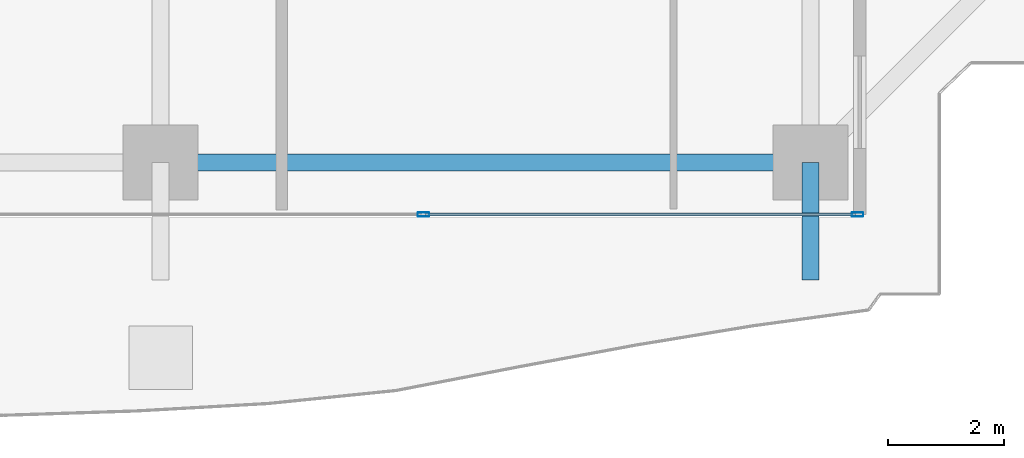
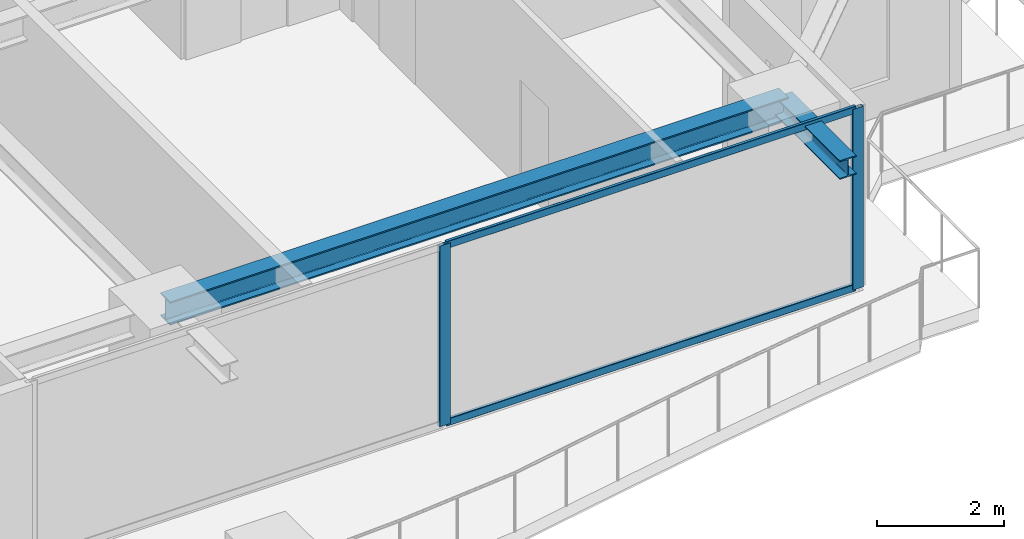
# One storey, part 11 of 36: 4 members, 2 beams, 1 element without a shape of its own.
"""IFC4 building model written with IfcOpenShell, lengths in metres."""

from ifc_helpers import new_model, si_unit, direction, frame, origin, origin_2d, place, context, subcontext, project, spatial, hollow_rectangle, i_section, extrude, source, transform, mapped, material, layer, layer_set, material_profile, profile_set, type_object, element, aggregate, save


model = new_model("IFC4")

# Units and contexts
model_context = context("Model", 3, precision=1e-05, world=origin(), true_north=direction((0.0, 1.0)))
body_context = subcontext(model_context, "Body", "Model", "MODEL_VIEW")
ifc_project = project(units=[si_unit("LENGTHUNIT", "METRE"), si_unit("AREAUNIT", "SQUARE_METRE"), si_unit("VOLUMEUNIT", "CUBIC_METRE"), si_unit("PLANEANGLEUNIT", "RADIAN"), si_unit("MASSUNIT", "GRAM", prefix="KILO")], contexts=[model_context])

# Site, building, storey
site_placement = place(None, origin())
site = spatial("IfcSite", under=ifc_project, at=site_placement, CompositionType="ELEMENT")
building_placement = place(site_placement, origin())
building = spatial("IfcBuilding", under=site, at=building_placement, Name="Serunith Strait Residences", CompositionType="ELEMENT")
storey_placement = place(building_placement, frame((0.0, 0.0, 131.39990234375)))
storey = spatial("IfcBuildingStorey", under=building, at=storey_placement, Name="L32", CompositionType="ELEMENT", Elevation=131.39990234375)

# Beams
ifc_material_1 = material(Name="Steel S355J2", Category="steel")
ifc_material_profile_1 = material_profile(ifc_material_1, i_section(OverallWidth=0.300048828125, OverallDepth=0.449951171875, WebThickness=0.013916015625, FlangeThickness=0.02587890625, FilletRadius=0.027099609375, at=origin_2d()), Name="HEB 450")
ifc_profile_set_1 = profile_set([ifc_material_profile_1], Name="Steel S355J2")
beam_type_1 = type_object("IfcBeamType", Name="BM-HEB450", PredefinedType="BEAM", material=ifc_profile_set_1)
shared_shape_1 = source(origin(), body_context, "Body", "SweptSolid", [
    extrude(i_section(OverallWidth=0.300048828125, OverallDepth=0.449951171875, WebThickness=0.013916015625, FlangeThickness=0.02587890625, FilletRadius=0.027099609375, at=origin_2d()), origin(), (0.0, 0.0, 1.0), 11.25),
])
beam_1_placement = place(storey_placement, frame((36.89990234375, 2.300048828125, 3.26220703125), z_axis=(1.0, 0.0, 0.0), x_axis=(0.0, 1.0, 0.0)))
element("IfcBeam", 1, at=beam_1_placement, inside=storey, type_object=beam_type_1, Name="L32 Perimeter Ring Beam 03", PredefinedType="BEAM", context=body_context, shape_type="MappedRepresentation", body=[
    mapped(shared_shape_1, transform((0.0, 0.0, 0.0), scale=1.0)),
])
ifc_material_profile_2 = material_profile(ifc_material_1, i_section(OverallWidth=0.300048828125, OverallDepth=0.360107421875, WebThickness=0.012451171875, FlangeThickness=0.0224609375, FilletRadius=0.027099609375, at=origin_2d()), Name="HEB 360")
ifc_profile_set_2 = profile_set([ifc_material_profile_2], Name="Steel S355J2")
beam_type_2 = type_object("IfcBeamType", Name="BM-HEB360", PredefinedType="BEAM", material=ifc_profile_set_2)
shared_shape_2 = source(origin(), body_context, "Body", "SweptSolid", [
    extrude(i_section(OverallWidth=0.300048828125, OverallDepth=0.360107421875, WebThickness=0.012451171875, FlangeThickness=0.0224609375, FilletRadius=0.027099609375, at=origin_2d()), origin(), (0.0, 0.0, 1.0), 2.030029296875),
])
beam_2_placement = place(storey_placement, frame((48.14990234375, 2.300048828125, 3.277099609375), z_axis=(0.0, -1.0, 0.0), x_axis=(1.0, 0.0, 0.0)))
element("IfcBeam", 2, at=beam_2_placement, inside=storey, type_object=beam_type_2, Name="L33 Cantilevered Balcony Rib TC-S4", PredefinedType="BEAM", context=body_context, shape_type="MappedRepresentation", body=[
    mapped(shared_shape_2, transform((0.0, 0.0, 0.0), scale=1.0)),
])

# Curtain wall, members
ifc_material_2 = material(Name="Pale-Champagne Anodised Aluminium", Category="aluminium")
ifc_layer = layer(ifc_material_2, 0.199951171875, Name="Pale-Champagne Anodised Aluminium")
ifc_layer_set = layer_set([ifc_layer], Name="Pale-Champagne Anodised Aluminium")
curtain_wall_type = type_object("IfcCurtainWallType", Name="CW-SYS2", PredefinedType="NOTDEFINED", material=ifc_layer_set)
curtain_wall_placement = place(storey_placement, origin())
curtain_wall = element("IfcCurtainWall", 3, at=curtain_wall_placement, inside=storey, type_object=curtain_wall_type, Name="L32 S Unitised Fritted Curtain Wall", PredefinedType="NOTDEFINED")
ifc_material_profile_3 = material_profile(ifc_material_2, hollow_rectangle(XDim=0.070068359375, YDim=0.199951171875, WallThickness=0.00390625, InnerFilletRadius=0.006103515625, OuterFilletRadius=0.010009765625, at=origin_2d()), Name="ALU 200x70x4")
ifc_profile_set_3 = profile_set([ifc_material_profile_3], Name="Pale-Champagne Anodised Aluminium")
member_type_1 = type_object("IfcMemberType", Name="CW-SYS2-MULL", PredefinedType="MULLION", material=ifc_profile_set_3)
shared_shape_3 = source(origin(), body_context, "Body", "SweptSolid", [
    extrude(hollow_rectangle(XDim=0.070068359375, YDim=0.199951171875, WallThickness=0.00390625, InnerFilletRadius=0.006103515625, OuterFilletRadius=0.010009765625, at=origin_2d()), origin(), (0.0, 0.0, 1.0), 3.47509765625),
])
member_1_placement = place(storey_placement, frame((41.449951171875, 1.39990234375, 0.0), z_axis=(0.0, 0.0, 1.0), x_axis=(0.0, 1.0, 0.0)))
member_1 = element("IfcMember", 4, at=member_1_placement, type_object=member_type_1, Name="CW-2 mullion 2", PredefinedType="MULLION", context=body_context, shape_type="MappedRepresentation", body=[
    mapped(shared_shape_3, transform((0.0, 0.0, 0.0), scale=1.0)),
])
member_2_placement = place(storey_placement, frame((48.965087890625, 1.39990234375, 0.0), z_axis=(0.0, 0.0, 1.0), x_axis=(0.0, 1.0, 0.0)))
member_2 = element("IfcMember", 5, at=member_2_placement, type_object=member_type_1, Name="CW-2 mullion 3", PredefinedType="MULLION", context=body_context, shape_type="MappedRepresentation", body=[
    mapped(shared_shape_3, transform((0.0, 0.0, 0.0), scale=1.0)),
])
ifc_material_profile_4 = material_profile(ifc_material_2, hollow_rectangle(XDim=0.06005859375, YDim=0.139892578125, WallThickness=0.00341796875, InnerFilletRadius=0.00537109375, OuterFilletRadius=0.0087890625, at=origin_2d()), Name="ALU 140x60x3.5")
ifc_profile_set_4 = profile_set([ifc_material_profile_4], Name="Pale-Champagne Anodised Aluminium")
member_type_2 = type_object("IfcMemberType", Name="CW-SYS2-TRAN", PredefinedType="USERDEFINED", material=ifc_profile_set_4)
shared_shape_4 = source(origin(), body_context, "Body", "SweptSolid", [
    extrude(hollow_rectangle(XDim=0.06005859375, YDim=0.139892578125, WallThickness=0.00341796875, InnerFilletRadius=0.00537109375, OuterFilletRadius=0.0087890625, at=origin_2d()), origin(), (0.0, 0.0, 1.0), 7.44482421875),
])
member_3_placement = place(storey_placement, frame((41.485107421875, 1.39990234375, 0.030029296875), z_axis=(1.0, 0.0, 0.0), x_axis=(0.0, 1.0, 0.0)))
member_3 = element("IfcMember", 6, at=member_3_placement, type_object=member_type_2, Name="CW-2 transom 2.1", ObjectType="TRANSOM", PredefinedType="USERDEFINED", context=body_context, shape_type="MappedRepresentation", body=[
    mapped(shared_shape_4, transform((0.0, 0.0, 0.0), scale=1.0)),
])
member_4_placement = place(storey_placement, frame((41.485107421875, 1.39990234375, 3.445068359375), z_axis=(1.0, 0.0, 0.0), x_axis=(0.0, 1.0, 0.0)))
member_4 = element("IfcMember", 7, at=member_4_placement, type_object=member_type_2, Name="CW-2 transom 2.2", ObjectType="TRANSOM", PredefinedType="USERDEFINED", context=body_context, shape_type="MappedRepresentation", body=[
    mapped(shared_shape_4, transform((0.0, 0.0, 0.0), scale=1.0)),
])
aggregate(curtain_wall, [member_1, member_2, member_3, member_4])

save(model, "model.ifc")
